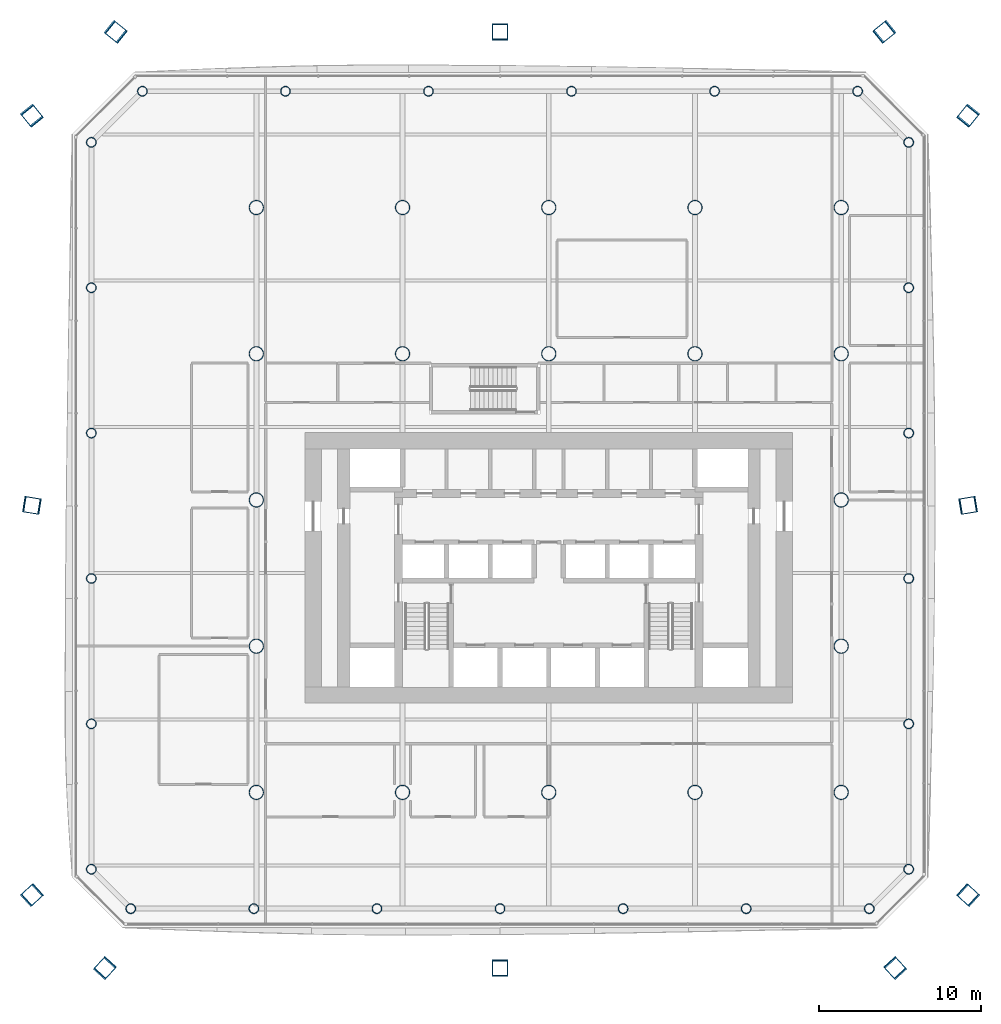
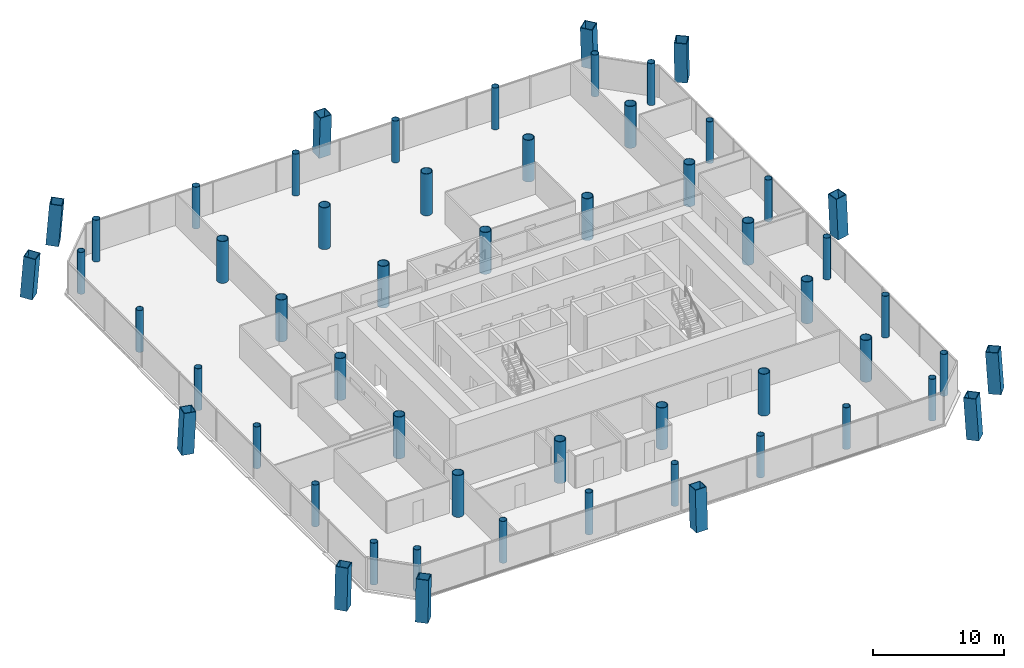
# One storey, part 1 of 20: 56 columns.
"""IFC4 building model written with IfcOpenShell, lengths in metres."""

from ifc_helpers import new_model, si_unit, direction, frame, origin, origin_2d, place, context, subcontext, project, spatial, hollow_rectangle, hollow_circle, extrude, material, material_profile, profile_set, type_object, element, save


model = new_model("IFC4")

# Units and contexts
model_context = context("Model", 3, precision=1e-05, world=origin(), true_north=direction((0.0, 1.0)))
body_context = subcontext(model_context, "Body", "Model", "MODEL_VIEW")
ifc_project = project(units=[si_unit("LENGTHUNIT", "METRE"), si_unit("AREAUNIT", "SQUARE_METRE"), si_unit("VOLUMEUNIT", "CUBIC_METRE"), si_unit("PLANEANGLEUNIT", "RADIAN"), si_unit("MASSUNIT", "GRAM", prefix="KILO")], contexts=[model_context])

# Site, building, storey
site_placement = place(None, origin())
site = spatial("IfcSite", under=ifc_project, at=site_placement, CompositionType="ELEMENT")
building_placement = place(site_placement, origin())
building = spatial("IfcBuilding", under=site, at=building_placement, Name="Tskaro Facet Tower", CompositionType="ELEMENT")
storey_placement = place(building_placement, frame((0.0, 0.0, 53.699951171875)))
storey = spatial("IfcBuildingStorey", under=building, at=storey_placement, Name="L12", CompositionType="ELEMENT", Elevation=53.699951171875)

# Columns
ifc_material_1 = material(Name="Steel S460M", Category="steel")
ifc_material_profile_1 = material_profile(ifc_material_1, hollow_rectangle(XDim=1.0, YDim=1.0, WallThickness=0.06005859375, at=origin_2d()), Name="BOX 1000x1000x60")
ifc_profile_set_1 = profile_set([ifc_material_profile_1], Name="Steel S460M")
column_type_1 = type_object("IfcColumnType", Name="BOX 1000x1000x60 mega column", PredefinedType="COLUMN", material=ifc_profile_set_1)
column_1_placement = place(storey_placement, frame((-27.346923828125, -28.842041015625, 0.0), z_axis=(0.042695018982, 0.04686964306, 0.997988162211), x_axis=(-0.739262556906, 0.673417308923, 0.0)))
element("IfcColumn", 1, at=column_1_placement, inside=storey, type_object=column_type_1, Name="BOX 1000x1000x60 MC01/1", PredefinedType="COLUMN", context=body_context, shape_type="SweptSolid", body=[
    extrude(hollow_rectangle(XDim=1.0, YDim=1.0, WallThickness=0.06005859375, at=origin_2d()), origin(), (0.0, 0.0, 1.0), 3.85986328125),
])
column_2_placement = place(storey_placement, frame((-3.0, -28.842041015625, 0.0), z_axis=(0.0, 0.04689640594, 0.998899758289), x_axis=(-1.0, 0.0, 0.0)))
element("IfcColumn", 2, at=column_2_placement, inside=storey, type_object=column_type_1, Name="BOX 1000x1000x60 MC02/1", PredefinedType="COLUMN", context=body_context, shape_type="SweptSolid", body=[
    extrude(hollow_rectangle(XDim=1.0, YDim=1.0, WallThickness=0.06005859375, at=origin_2d()), origin(), (0.0, 0.0, 1.0), 3.867919921875),
])
for number, where, z_axis, x_axis, name in (
    (3, (21.346923828125, -28.842041015625, 0.0), (-0.042695018982, 0.04686964306, 0.997988162211), (-0.739262556906, -0.673417308923, 0.0), "BOX 1000x1000x60 MC03/1"),
    (4, (25.842041015625, -24.346923828125, 0.0), (-0.04686964306, 0.042695018982, 0.997988162211), (-0.673417308923, -0.739262556906, 0.0), "BOX 1000x1000x60 MC04/1"),
):
    element("IfcColumn", number, at=place(storey_placement, frame(where, z_axis=z_axis, x_axis=x_axis)), inside=storey, type_object=column_type_1, Name=name, PredefinedType="COLUMN", context=body_context, shape_type="SweptSolid", body=[
        extrude(hollow_rectangle(XDim=1.0, YDim=1.0, WallThickness=0.06005859375, at=origin_2d()), origin(), (0.0, 0.0, 1.0), 3.85986328125),
    ])
column_3_placement = place(storey_placement, frame((25.842041015625, -0.327880859375, 0.0), z_axis=(-0.046900929317, -0.00770109472, 0.998869859376), x_axis=(0.162029451606, -0.986785922484, 0.0)))
element("IfcColumn", 5, at=column_3_placement, inside=storey, type_object=column_type_1, Name="BOX 1000x1000x60 MC05/1", PredefinedType="COLUMN", context=body_context, shape_type="SweptSolid", body=[
    extrude(hollow_rectangle(XDim=1.0, YDim=1.0, WallThickness=0.06005859375, at=origin_2d()), origin(), (0.0, 0.0, 1.0), 3.86767578125),
])
for number, where, z_axis, x_axis, name in (
    (6, (25.842041015625, 23.68994140625, 0.0), (-0.04680199919, -0.058011679646, 0.997218239853), (0.778292486371, -0.627901907673, 0.0), "BOX 1000x1000x60 MC06/1"),
    (7, (20.68994140625, 28.842041015625, 0.0), (-0.058011679646, -0.04680199919, 0.997218239853), (0.627901907673, -0.778292486371, 0.0), "BOX 1000x1000x60 MC07/1"),
):
    element("IfcColumn", number, at=place(storey_placement, frame(where, z_axis=z_axis, x_axis=x_axis)), inside=storey, type_object=column_type_1, Name=name, PredefinedType="COLUMN", context=body_context, shape_type="SweptSolid", body=[
        extrude(hollow_rectangle(XDim=1.0, YDim=1.0, WallThickness=0.06005859375, at=origin_2d()), origin(), (0.0, 0.0, 1.0), 3.85498046875),
    ])
column_4_placement = place(storey_placement, frame((-3.0, 28.842041015625, 0.0), z_axis=(0.0, -0.04689640594, 0.998899758289), x_axis=(1.0, 0.0, 0.0)))
element("IfcColumn", 8, at=column_4_placement, inside=storey, type_object=column_type_1, Name="BOX 1000x1000x60 MC08/1", PredefinedType="COLUMN", context=body_context, shape_type="SweptSolid", body=[
    extrude(hollow_rectangle(XDim=1.0, YDim=1.0, WallThickness=0.06005859375, at=origin_2d()), origin(), (0.0, 0.0, 1.0), 3.867919921875),
])
for number, where, z_axis, x_axis, name in (
    (9, (-26.68994140625, 28.842041015625, 0.0), (0.058011679646, -0.04680199919, 0.997218239853), (0.627901907673, 0.778292486371, 0.0), "BOX 1000x1000x60 MC09/1"),
    (10, (-31.842041015625, 23.68994140625, 0.0), (0.04680199919, -0.058011679646, 0.997218239853), (0.778292486371, 0.627901907673, 0.0), "BOX 1000x1000x60 MC10/1"),
):
    element("IfcColumn", number, at=place(storey_placement, frame(where, z_axis=z_axis, x_axis=x_axis)), inside=storey, type_object=column_type_1, Name=name, PredefinedType="COLUMN", context=body_context, shape_type="SweptSolid", body=[
        extrude(hollow_rectangle(XDim=1.0, YDim=1.0, WallThickness=0.06005859375, at=origin_2d()), origin(), (0.0, 0.0, 1.0), 3.85498046875),
    ])
column_5_placement = place(storey_placement, frame((-31.842041015625, -0.327880859375, 0.0), z_axis=(0.046900929317, -0.00770109472, 0.998869859376), x_axis=(0.162029451606, 0.986785922484, 0.0)))
element("IfcColumn", 11, at=column_5_placement, inside=storey, type_object=column_type_1, Name="BOX 1000x1000x60 MC11/1", PredefinedType="COLUMN", context=body_context, shape_type="SweptSolid", body=[
    extrude(hollow_rectangle(XDim=1.0, YDim=1.0, WallThickness=0.06005859375, at=origin_2d()), origin(), (0.0, 0.0, 1.0), 3.86767578125),
])
column_6_placement = place(storey_placement, frame((-31.842041015625, -24.346923828125, 0.0), z_axis=(0.04686964306, 0.042695018982, 0.997988162211), x_axis=(-0.673417308923, 0.739262556906, 0.0)))
element("IfcColumn", 12, at=column_6_placement, inside=storey, type_object=column_type_1, Name="BOX 1000x1000x60 MC12/1", PredefinedType="COLUMN", context=body_context, shape_type="SweptSolid", body=[
    extrude(hollow_rectangle(XDim=1.0, YDim=1.0, WallThickness=0.06005859375, at=origin_2d()), origin(), (0.0, 0.0, 1.0), 3.85986328125),
])
ifc_material_2 = material(Name="Steel S355J2H", Category="steel")
ifc_material_profile_2 = material_profile(ifc_material_2, hollow_circle(Radius=0.304931640625, WallThickness=0.030029296875, at=origin_2d()), Name="CHS 610x30")
ifc_profile_set_2 = profile_set([ifc_material_profile_2], Name="Steel S355J2H")
column_type_2 = type_object("IfcColumnType", Name="CHS 610x30 ring column", PredefinedType="COLUMN", material=ifc_profile_set_2)
for number, where, z_axis, x_axis, name in (
    (13, (-25.72900390625, -25.156982421875, 0.0), (0.0, 0.0, 1.0), (1.0, 0.0, 0.0), "CHS 610x30 RS-1/1"),
    (14, (-18.153076171875, -25.156982421875, 0.0), (0.0, 0.0, 1.0), (1.0, 0.0, 0.0), "CHS 610x30 RS-2/1"),
    (15, (-10.575927734375, -25.156982421875, 0.0), (0.0, 0.0, 1.0), (1.0, 0.0, 0.0), "CHS 610x30 RS-3/1"),
    (16, (-3.0, -25.156982421875, 0.0), (0.0, 0.0, 1.0), (1.0, 0.0, 0.0), "CHS 610x30 RS-4/1"),
    (17, (4.575927734375, -25.156982421875, 0.0), (0.0, 0.0, 1.0), (1.0, 0.0, 0.0), "CHS 610x30 RS-5/1"),
    (18, (12.153076171875, -25.156982421875, 0.0), (0.0, 0.0, 1.0), (1.0, 0.0, 0.0), "CHS 610x30 RS-6/1"),
    (19, (19.72900390625, -25.156982421875, 0.0), (0.0, 0.0, 1.0), (1.0, 0.0, 0.0), "CHS 610x30 RSE-1/1"),
    (20, (22.156982421875, -22.72900390625, 0.0), (0.0, 0.0, 1.0), (1.0, 0.0, 0.0), "CHS 610x30 RE-1/1"),
    (21, (22.156982421875, -13.781005859375, 0.0), (0.0, 0.0, 1.0), (1.0, 0.0, 0.0), "CHS 610x30 RE-2/1"),
    (22, (22.156982421875, -4.8330078125, 0.0), (0.0, 0.0, 1.0), (1.0, 0.0, 0.0), "CHS 610x30 RE-3/1"),
    (23, (22.156982421875, 4.115966796875, 0.0), (0.0, 0.0, 1.0), (1.0, 0.0, 0.0), "CHS 610x30 RE-4/1"),
    (24, (22.156982421875, 13.06396484375, 0.0), (0.0, 0.0, 1.0), (1.0, 0.0, 0.0), "CHS 610x30 RE-5/1"),
    (25, (22.156982421875, 22.011962890625, 0.0), (0.0, 0.0, 1.0), (1.0, 0.0, 0.0), "CHS 610x30 RNE-1/1"),
    (26, (19.011962890625, 25.156982421875, 0.0), (0.0, 0.0, 1.0), (1.0, 0.0, 0.0), "CHS 610x30 RN-1/1"),
    (27, (10.20703125, 25.156982421875, 0.0), (0.0, 0.0, 1.0), (1.0, 0.0, 0.0), "CHS 610x30 RN-2/1"),
    (28, (1.402099609375, 25.156982421875, 0.0), (0.0, 0.0, 1.0), (1.0, 0.0, 0.0), "CHS 610x30 RN-3/1"),
    (29, (-7.402099609375, 25.156982421875, 0.0), (0.0, 0.0, 1.0), (1.0, 0.0, 0.0), "CHS 610x30 RN-4/1"),
    (30, (-16.20703125, 25.156982421875, 0.0), (0.0, 0.0, 1.0), (1.0, 0.0, 0.0), "CHS 610x30 RN-5/1"),
    (31, (-25.011962890625, 25.156982421875, 0.0), (0.0, 0.0, 1.0), (1.0, 0.0, 0.0), "CHS 610x30 RNW-1/1"),
    (32, (-28.156982421875, 22.011962890625, 0.0), (0.0, 0.0, 1.0), (1.0, 0.0, 0.0), "CHS 610x30 RW-1/1"),
    (33, (-28.156982421875, 13.06396484375, 0.0), (0.0, 0.0, 1.0), (1.0, 0.0, 0.0), "CHS 610x30 RW-2/1"),
    (34, (-28.156982421875, 4.115966796875, 0.0), (0.0, 0.0, 1.0), (1.0, 0.0, 0.0), "CHS 610x30 RW-3/1"),
    (35, (-28.156982421875, -4.8330078125, 0.0), (0.0, 0.0, 1.0), (1.0, 0.0, 0.0), "CHS 610x30 RW-4/1"),
    (36, (-28.156982421875, -13.781005859375, 0.0), (0.0, 0.0, 1.0), (1.0, 0.0, 0.0), "CHS 610x30 RW-5/1"),
    (37, (-28.156982421875, -22.72900390625, 0.0), (0.0, 0.0, 1.0), (1.0, 0.0, 0.0), "CHS 610x30 RSW-1/1"),
):
    element("IfcColumn", number, at=place(storey_placement, frame(where, z_axis=z_axis, x_axis=x_axis)), inside=storey, type_object=column_type_2, Name=name, PredefinedType="COLUMN", context=body_context, shape_type="SweptSolid", body=[
        extrude(hollow_circle(Radius=0.304931640625, WallThickness=0.030029296875, at=origin_2d()), origin(), (0.0, 0.0, 1.0), 3.900146484375),
    ])
ifc_material_profile_3 = material_profile(ifc_material_2, hollow_circle(Radius=0.457275390625, WallThickness=0.050048828125, at=origin_2d()), Name="CHS 914.4x50")
ifc_profile_set_3 = profile_set([ifc_material_profile_3], Name="Steel S355J2H")
column_type_3 = type_object("IfcColumnType", Name="CHS 914.4x50 interior column", PredefinedType="COLUMN", material=ifc_profile_set_3)
for number, where, z_axis, x_axis, name in (
    (38, (-18.0, -18.0, 0.0), (0.0, 0.0, 1.0), (1.0, 0.0, 0.0), "CHS 914.4x50 C2B/1"),
    (39, (-18.0, -9.0, 0.0), (0.0, 0.0, 1.0), (1.0, 0.0, 0.0), "CHS 914.4x50 C2C/1"),
    (40, (-18.0, 0.0, 0.0), (0.0, 0.0, 1.0), (1.0, 0.0, 0.0), "CHS 914.4x50 C2D/1"),
    (41, (-18.0, 9.0, 0.0), (0.0, 0.0, 1.0), (1.0, 0.0, 0.0), "CHS 914.4x50 C2E/1"),
    (42, (-18.0, 18.0, 0.0), (0.0, 0.0, 1.0), (1.0, 0.0, 0.0), "CHS 914.4x50 C2F/1"),
    (43, (-9.0, -18.0, 0.0), (0.0, 0.0, 1.0), (1.0, 0.0, 0.0), "CHS 914.4x50 C3B/1"),
    (44, (-9.0, 9.0, 0.0), (0.0, 0.0, 1.0), (1.0, 0.0, 0.0), "CHS 914.4x50 C3E/1"),
    (45, (-9.0, 18.0, 0.0), (0.0, 0.0, 1.0), (1.0, 0.0, 0.0), "CHS 914.4x50 C3F/1"),
    (46, (0.0, -18.0, 0.0), (0.0, 0.0, 1.0), (1.0, 0.0, 0.0), "CHS 914.4x50 C4B/1"),
    (47, (0.0, 9.0, 0.0), (0.0, 0.0, 1.0), (1.0, 0.0, 0.0), "CHS 914.4x50 C4E/1"),
    (48, (0.0, 18.0, 0.0), (0.0, 0.0, 1.0), (1.0, 0.0, 0.0), "CHS 914.4x50 C4F/1"),
    (49, (9.0, -18.0, 0.0), (0.0, 0.0, 1.0), (1.0, 0.0, 0.0), "CHS 914.4x50 C5B/1"),
    (50, (9.0, 9.0, 0.0), (0.0, 0.0, 1.0), (1.0, 0.0, 0.0), "CHS 914.4x50 C5E/1"),
    (51, (9.0, 18.0, 0.0), (0.0, 0.0, 1.0), (1.0, 0.0, 0.0), "CHS 914.4x50 C5F/1"),
    (52, (18.0, -18.0, 0.0), (0.0, 0.0, 1.0), (1.0, 0.0, 0.0), "CHS 914.4x50 C6B/1"),
    (53, (18.0, -9.0, 0.0), (0.0, 0.0, 1.0), (1.0, 0.0, 0.0), "CHS 914.4x50 C6C/1"),
    (54, (18.0, 0.0, 0.0), (0.0, 0.0, 1.0), (1.0, 0.0, 0.0), "CHS 914.4x50 C6D/1"),
    (55, (18.0, 9.0, 0.0), (0.0, 0.0, 1.0), (1.0, 0.0, 0.0), "CHS 914.4x50 C6E/1"),
    (56, (18.0, 18.0, 0.0), (0.0, 0.0, 1.0), (1.0, 0.0, 0.0), "CHS 914.4x50 C6F/1"),
):
    element("IfcColumn", number, at=place(storey_placement, frame(where, z_axis=z_axis, x_axis=x_axis)), inside=storey, type_object=column_type_3, Name=name, PredefinedType="COLUMN", context=body_context, shape_type="SweptSolid", body=[
        extrude(hollow_circle(Radius=0.457275390625, WallThickness=0.050048828125, at=origin_2d()), origin(), (0.0, 0.0, 1.0), 3.900146484375),
    ])

save(model, "model.ifc")
